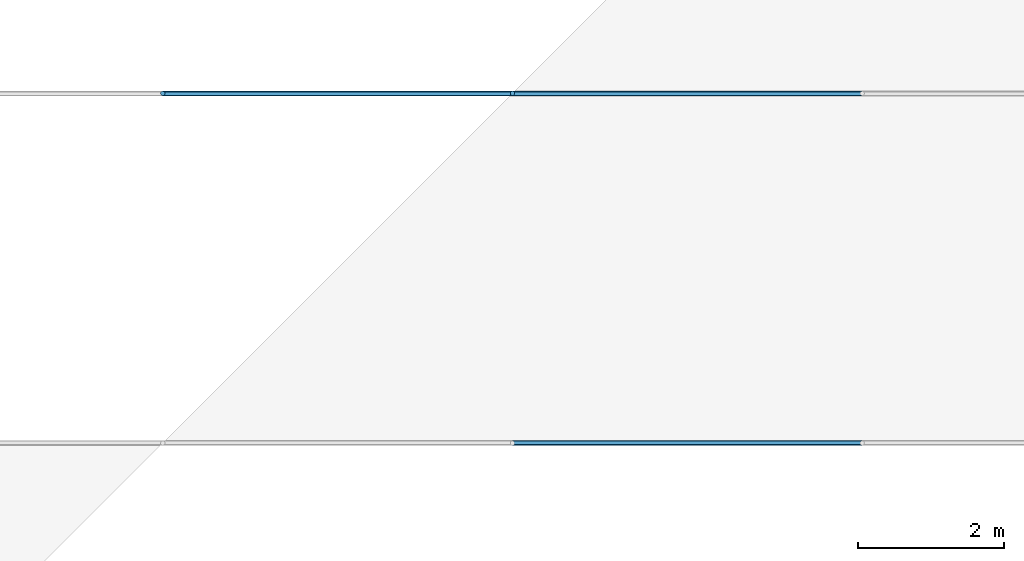
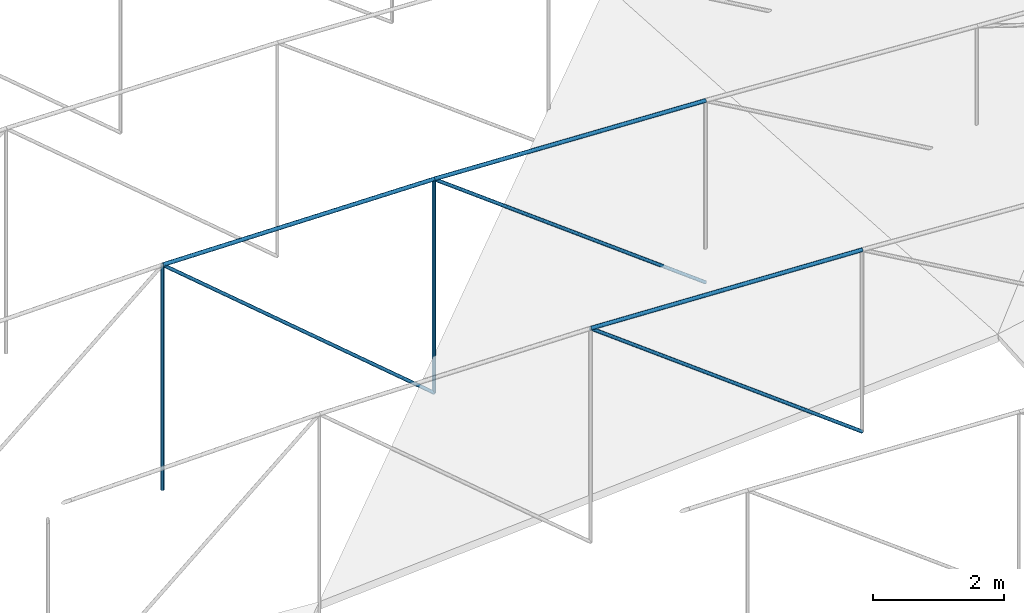
# One storey, part 23 of 50: 8 members.
"""IFC4 building model written with IfcOpenShell, lengths in metres."""

from ifc_helpers import new_model, si_unit, direction, frame, origin, origin_2d, place, context, subcontext, project, spatial, circle, extrude, material, material_profile, profile_set, type_object, element, save


model = new_model("IFC4")

# Units and contexts
model_context = context("Model", 3, precision=1e-05, world=origin(), true_north=direction((0.0, 1.0)))
body_context = subcontext(model_context, "Body", "Model", "MODEL_VIEW")
ifc_project = project(units=[si_unit("LENGTHUNIT", "METRE"), si_unit("AREAUNIT", "SQUARE_METRE"), si_unit("VOLUMEUNIT", "CUBIC_METRE"), si_unit("PLANEANGLEUNIT", "RADIAN"), si_unit("MASSUNIT", "GRAM", prefix="KILO")], contexts=[model_context])

# Site, building, storey
site_placement = place(None, origin())
site = spatial("IfcSite", under=ifc_project, at=site_placement, CompositionType="ELEMENT")
building_placement = place(site_placement, origin())
building = spatial("IfcBuilding", under=site, at=building_placement, Name="Zevrakil Square Congress Hotel", CompositionType="ELEMENT")
storey_placement = place(building_placement, frame((0.0, 0.0, 21.5)))
storey = spatial("IfcBuildingStorey", under=building, at=storey_placement, Name="L06", CompositionType="ELEMENT", Elevation=21.5)

# Members
ifc_material_1 = material(Name="Steel S355", Category="steel")
ifc_material_profile_1 = material_profile(ifc_material_1, circle(Radius=0.030029296875, at=origin_2d()), Name="CABLE RD60")
ifc_profile_set_1 = profile_set([ifc_material_profile_1], Name="Steel S355")
member_type_1 = type_object("IfcMemberType", Name="MEM-CABLE-RD60", PredefinedType="USERDEFINED", material=ifc_profile_set_1)
member_1_placement = place(storey_placement, frame((151.199951171875, 88.800048828125, -0.43798828125), z_axis=(-0.799174909116, 0.0, 0.601098548192), x_axis=(0.0, -1.0, 0.0)))
element("IfcMember", 1, at=member_1_placement, inside=storey, type_object=member_type_1, Name="Congress cable-truss web diagonal CBD-05-7", ObjectType="ROOF CABLE", PredefinedType="USERDEFINED", context=body_context, shape_type="SweptSolid", body=[
    extrude(circle(Radius=0.030029296875, at=origin_2d()), origin(), (0.0, 0.0, 1.0), 6.00634765625),
])
member_2_placement = place(storey_placement, frame((141.60009765625, 93.60009765625, -1.070068359375), z_axis=(0.0, 0.0, 1.0), x_axis=(1.0, 0.0, 0.0)))
element("IfcMember", 2, at=member_2_placement, inside=storey, type_object=member_type_1, Name="Congress cable-truss vertical tie CBW-06-5", ObjectType="ROOF CABLE", PredefinedType="USERDEFINED", context=body_context, shape_type="SweptSolid", body=[
    extrude(circle(Radius=0.030029296875, at=origin_2d()), origin(), (0.0, 0.0, 1.0), 4.199951171875),
])
member_3_placement = place(storey_placement, frame((146.39990234375, 93.60009765625, -0.94189453125), z_axis=(-0.762570596192, 0.0, 0.646905005254), x_axis=(0.0, -1.0, 0.0)))
element("IfcMember", 3, at=member_3_placement, inside=storey, type_object=member_type_1, Name="Congress cable-truss web diagonal CBD-06-6", ObjectType="ROOF CABLE", PredefinedType="USERDEFINED", context=body_context, shape_type="SweptSolid", body=[
    extrude(circle(Radius=0.030029296875, at=origin_2d()), origin(), (0.0, 0.0, 1.0), 6.294189453125),
])
member_4_placement = place(storey_placement, frame((146.39990234375, 93.60009765625, -0.94189453125), z_axis=(0.0, 0.0, 1.0), x_axis=(1.0, 0.0, 0.0)))
element("IfcMember", 4, at=member_4_placement, inside=storey, type_object=member_type_1, Name="Congress cable-truss vertical tie CBW-06-6", ObjectType="ROOF CABLE", PredefinedType="USERDEFINED", context=body_context, shape_type="SweptSolid", body=[
    extrude(circle(Radius=0.030029296875, at=origin_2d()), origin(), (0.0, 0.0, 1.0), 3.994384765625),
])
member_5_placement = place(storey_placement, frame((151.199951171875, 93.60009765625, -0.55810546875), z_axis=(-0.799155382701, 0.0, 0.601124508151), x_axis=(0.0, -1.0, 0.0)))
element("IfcMember", 5, at=member_5_placement, inside=storey, type_object=member_type_1, Name="Congress cable-truss web diagonal CBD-06-7", ObjectType="ROOF CABLE", PredefinedType="USERDEFINED", context=body_context, shape_type="SweptSolid", body=[
    extrude(circle(Radius=0.030029296875, at=origin_2d()), origin(), (0.0, 0.0, 1.0), 6.00634765625),
])
ifc_material_2 = material(Name="Steel S355", Category="steel")
ifc_material_profile_2 = material_profile(ifc_material_2, circle(Radius=0.033935546875, at=origin_2d()), Name="CABLE RD68")
ifc_profile_set_2 = profile_set([ifc_material_profile_2], Name="Steel S355")
member_type_2 = type_object("IfcMemberType", Name="MEM-CABLE-RD68", PredefinedType="USERDEFINED", material=ifc_profile_set_2)
member_6_placement = place(storey_placement, frame((146.39990234375, 88.800048828125, 3.17236328125), z_axis=(0.999022402478, 0.0, -0.044206779419), x_axis=(0.0, 1.0, 0.0)))
element("IfcMember", 6, at=member_6_placement, inside=storey, type_object=member_type_2, Name="Congress lenticular upper cable chord CBU-05 seg 7", ObjectType="ROOF CABLE", PredefinedType="USERDEFINED", context=body_context, shape_type="SweptSolid", body=[
    extrude(circle(Radius=0.033935546875, at=origin_2d()), origin(), (0.0, 0.0, 1.0), 4.8046875),
])
member_7_placement = place(storey_placement, frame((141.60009765625, 93.60009765625, 3.1298828125), z_axis=(0.999870031882, 0.0, -0.016122014248), x_axis=(0.0, 1.0, 0.0)))
element("IfcMember", 7, at=member_7_placement, inside=storey, type_object=member_type_2, Name="Congress lenticular upper cable chord CBU-06 seg 6", ObjectType="ROOF CABLE", PredefinedType="USERDEFINED", context=body_context, shape_type="SweptSolid", body=[
    extrude(circle(Radius=0.033935546875, at=origin_2d()), origin(), (0.0, 0.0, 1.0), 4.800537109375),
])
member_8_placement = place(storey_placement, frame((146.39990234375, 93.60009765625, 3.052490234375), z_axis=(0.99902015714, 0.0, -0.044257492339), x_axis=(0.0, 1.0, 0.0)))
element("IfcMember", 8, at=member_8_placement, inside=storey, type_object=member_type_2, Name="Congress lenticular upper cable chord CBU-06 seg 7", ObjectType="ROOF CABLE", PredefinedType="USERDEFINED", context=body_context, shape_type="SweptSolid", body=[
    extrude(circle(Radius=0.033935546875, at=origin_2d()), origin(), (0.0, 0.0, 1.0), 4.8046875),
])

save(model, "model.ifc")
